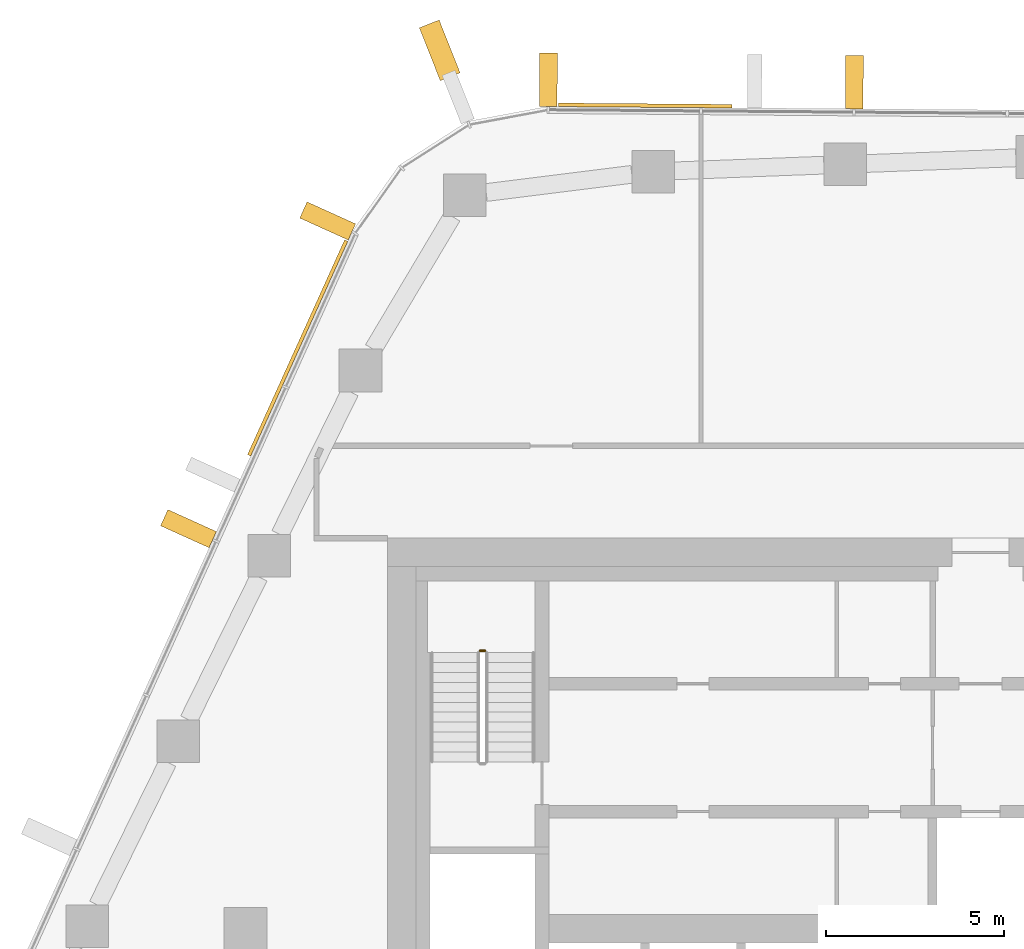
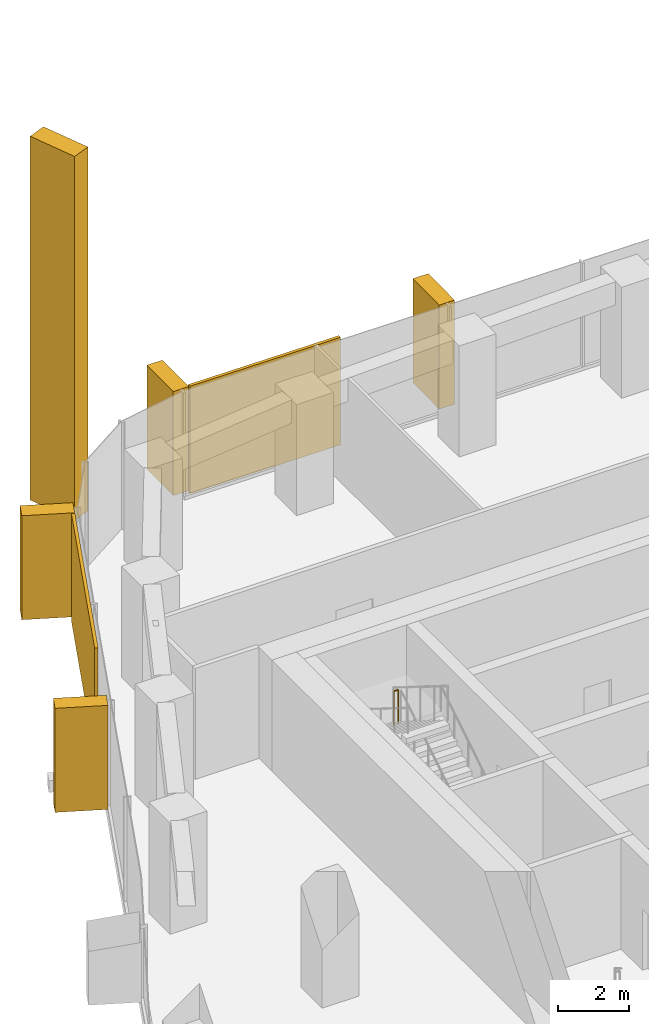
# One storey, part 17 of 18: 7 coverings, 1 railing, 3 elements without a shape of their own.
"""IFC4 building model written with IfcOpenShell, lengths in metres."""

from ifc_helpers import new_model, si_unit, direction, frame, origin, origin_2d, place, context, subcontext, project, spatial, rectangle, circle, extrude, material, layer, layer_set, material_profile, profile_set, type_object, element, aggregate, save


model = new_model("IFC4")

# Units and contexts
model_context = context("Model", 3, precision=1e-05, world=origin(), true_north=direction((0.0, 1.0)))
body_context = subcontext(model_context, "Body", "Model", "MODEL_VIEW")
ifc_project = project(units=[si_unit("LENGTHUNIT", "METRE"), si_unit("AREAUNIT", "SQUARE_METRE"), si_unit("VOLUMEUNIT", "CUBIC_METRE"), si_unit("PLANEANGLEUNIT", "RADIAN"), si_unit("MASSUNIT", "GRAM", prefix="KILO")], contexts=[model_context])

# Site, building, storey
site_placement = place(None, origin())
site = spatial("IfcSite", under=ifc_project, at=site_placement, CompositionType="ELEMENT")
building_placement = place(site_placement, origin())
building = spatial("IfcBuilding", under=site, at=building_placement, Name="Dongbaek Canopy Tower", CompositionType="ELEMENT")
storey_placement = place(building_placement, frame((0.0, 0.0, 171.199951171875)))
storey = spatial("IfcBuildingStorey", under=building, at=storey_placement, Name="L37", CompositionType="ELEMENT", Elevation=171.199951171875)

# Curtain wall, covering
ifc_material_1 = material(Name="Aluminium 6063-T6 pale anodised", Category="aluminium")
ifc_layer_1 = layer(ifc_material_1, 0.199951171875)
ifc_layer_set_1 = layer_set([ifc_layer_1], Name="CW-1 unitised tower curtain wall")
curtain_wall_type = type_object("IfcCurtainWallType", Name="CW-1 unitised tower curtain wall", PredefinedType="NOTDEFINED", material=ifc_layer_set_1)
curtain_wall_1_placement = place(storey_placement, origin())
curtain_wall_1 = element("IfcCurtainWall", 1, at=curtain_wall_1_placement, inside=storey, type_object=curtain_wall_type, Name="CW-1 curtain wall K2.1", PredefinedType="NOTDEFINED")
ifc_material_2 = material(Name="Aluminium 6063-T6 pale metal fin", Category="aluminium")
ifc_material_profile_1 = material_profile(ifc_material_2, rectangle(XDim=1.60009765625, YDim=0.60009765625, at=origin_2d()), Name="Corner fin CN1 600 x 1600 pale metal")
ifc_profile_set_1 = profile_set([ifc_material_profile_1], Name="Aluminium 6063-T6 pale metal fin")
covering_type_1 = type_object("IfcCoveringType", Name="Corner fin CN1 600 x 1600 pale metal", PredefinedType="CLADDING", material=ifc_profile_set_1)
covering_1_placement = place(storey_placement, frame((-12.531494140625, 24.740966796875, -0.18994140625), z_axis=(0.0, 0.0, 1.0), x_axis=(-0.367936304274, 0.929850996664, 0.0)))
covering_1 = element("IfcCovering", 2, at=covering_1_placement, type_object=covering_type_1, Name="Corner fin L37 L39 K2", PredefinedType="CLADDING", context=body_context, shape_type="SweptSolid", body=[
    extrude(rectangle(XDim=1.60009765625, YDim=0.60009765625, at=origin_2d()), origin(), (0.0, 0.0, 1.0), 12.52001953125),
])
aggregate(curtain_wall_1, [covering_1])

curtain_wall_2_placement = place(storey_placement, origin())
curtain_wall_2 = element("IfcCurtainWall", 3, at=curtain_wall_2_placement, inside=storey, type_object=curtain_wall_type, Name="CW-1 curtain wall F1.1", PredefinedType="NOTDEFINED")
ifc_material_3 = material(Name="Perforated aluminium 6063-T6 pale metal screen", Category="aluminium")
ifc_layer_2 = layer(ifc_material_3, 0.10009765625)
ifc_layer_set_2 = layer_set([ifc_layer_2], Name="Facet screen FS1 100 pale metal")
covering_type_2 = type_object("IfcCoveringType", Name="Facet screen FS1 100 pale metal", PredefinedType="CLADDING", material=ifc_layer_set_2)
covering_2_placement = place(storey_placement, frame((-6.74560546875, 23.18701171875, 0.0), z_axis=(0.0, 0.0, 1.0), x_axis=(-0.999969212451, 0.007846919787, 0.0)))
covering_2 = element("IfcCovering", 4, at=covering_2_placement, type_object=covering_type_2, Name="Facet screen L37 F1", PredefinedType="CLADDING", context=body_context, shape_type="SweptSolid", body=[
    extrude(rectangle(XDim=4.88037109375, YDim=0.10009765625, at=origin_2d()), origin(), (0.0, 0.0, 1.0), 3.699951171875),
])

curtain_wall_3_placement = place(storey_placement, origin())
curtain_wall_3 = element("IfcCurtainWall", 5, at=curtain_wall_3_placement, inside=storey, type_object=curtain_wall_type, Name="CW-1 curtain wall F2.1", PredefinedType="NOTDEFINED")
covering_3_placement = place(storey_placement, frame((-16.531982421875, 16.358642578125, 0.0), z_axis=(0.0, 0.0, 1.0), x_axis=(-0.412080567907, -0.911147411539, 0.0)))
covering_3 = element("IfcCovering", 6, at=covering_3_placement, type_object=covering_type_2, Name="Facet screen L37 F2", PredefinedType="CLADDING", context=body_context, shape_type="SweptSolid", body=[
    extrude(rectangle(XDim=6.634033203125, YDim=0.10009765625, at=origin_2d()), origin(), (0.0, 0.0, 1.0), 3.699951171875),
])

# Covering
ifc_material_4 = material(Name="Aluminium 6063-T6 pale metal fin", Category="aluminium")
ifc_material_profile_2 = material_profile(ifc_material_4, rectangle(XDim=1.5, YDim=0.5, at=origin_2d()), Name="Fin FN1 500 x 1500 pale metal")
ifc_profile_set_2 = profile_set([ifc_material_profile_2], Name="Aluminium 6063-T6 pale metal fin")
covering_type_3 = type_object("IfcCoveringType", Name="Fin FN1 500 x 1500 pale metal", PredefinedType="CLADDING", material=ifc_profile_set_2)
covering_4_placement = place(storey_placement, frame((-0.853759765625, 23.8447265625, 0.1201171875), z_axis=(0.0, 0.0, 1.0), x_axis=(0.007847305301, 0.999969209426, 0.0)))
covering_4 = element("IfcCovering", 7, at=covering_4_placement, type_object=covering_type_3, Name="Fin F1.1.3", PredefinedType="CLADDING", context=body_context, shape_type="SweptSolid", body=[
    extrude(rectangle(XDim=1.5, YDim=0.5, at=origin_2d()), origin(), (0.0, 0.0, 1.0), 3.579833984375),
])

covering_5_placement = place(storey_placement, frame((-9.47021484375, 23.912353515625, 0.1201171875), z_axis=(0.0, 0.0, 1.0), x_axis=(0.007847305301, 0.999969209426, 0.0)))
covering_5 = element("IfcCovering", 8, at=covering_5_placement, type_object=covering_type_3, Name="Fin F1.1.5", PredefinedType="CLADDING", context=body_context, shape_type="SweptSolid", body=[
    extrude(rectangle(XDim=1.5, YDim=0.5, at=origin_2d()), origin(), (0.0, 0.0, 1.0), 3.579833984375),
])

aggregate(curtain_wall_2, [covering_4, covering_5, covering_2])

covering_6_placement = place(storey_placement, frame((-15.68701171875, 19.935302734375, 0.1201171875), z_axis=(0.0, 0.0, 1.0), x_axis=(-0.911147578037, 0.412080199763, 0.0)))
covering_6 = element("IfcCovering", 9, at=covering_6_placement, type_object=covering_type_3, Name="Fin F2.1.1", PredefinedType="CLADDING", context=body_context, shape_type="SweptSolid", body=[
    extrude(rectangle(XDim=1.5, YDim=0.5, at=origin_2d()), origin(), (0.0, 0.0, 1.0), 3.579833984375),
])

covering_7_placement = place(storey_placement, frame((-19.60693359375, 11.268310546875, 0.1201171875), z_axis=(0.0, 0.0, 1.0), x_axis=(-0.911147578037, 0.412080199763, 0.0)))
covering_7 = element("IfcCovering", 10, at=covering_7_placement, type_object=covering_type_3, Name="Fin F2.1.3", PredefinedType="CLADDING", context=body_context, shape_type="SweptSolid", body=[
    extrude(rectangle(XDim=1.5, YDim=0.5, at=origin_2d()), origin(), (0.0, 0.0, 1.0), 3.579833984375),
])

aggregate(curtain_wall_3, [covering_6, covering_7, covering_3])

# Railing
ifc_material_5 = material(Name="Stainless steel tube and balusters", Category="steel")
railing_type = type_object("IfcRailingType", Name="Stair guard 1200", PredefinedType="GUARDRAIL", material=ifc_material_5)
railing_placement = place(storey_placement, frame((-11.25, 7.830078125, 2.10009765625)))
element("IfcRailing", 11, at=railing_placement, inside=storey, type_object=railing_type, Name="L37 ST-C stair guard 2", PredefinedType="GUARDRAIL", context=body_context, shape_type="SweptSolid", body=[
    extrude(circle(Radius=0.02392578125, at=origin_2d()), frame((0.0, 0.0, 1.17578125), z_axis=(-1.0, 0.0, 0.0), x_axis=(0.0, -1.0, 0.0)), (0.0, 0.0, 1.0), 0.14990234375),
    extrude(circle(Radius=0.02099609375, at=origin_2d()), origin(), (0.0, 0.0, 1.0), 1.15185546875),
    extrude(circle(Radius=0.02099609375, at=origin_2d()), frame((-0.14990234375, 0.0, 0.0)), (0.0, 0.0, 1.0), 1.15185546875),
])

save(model, "model.ifc")
